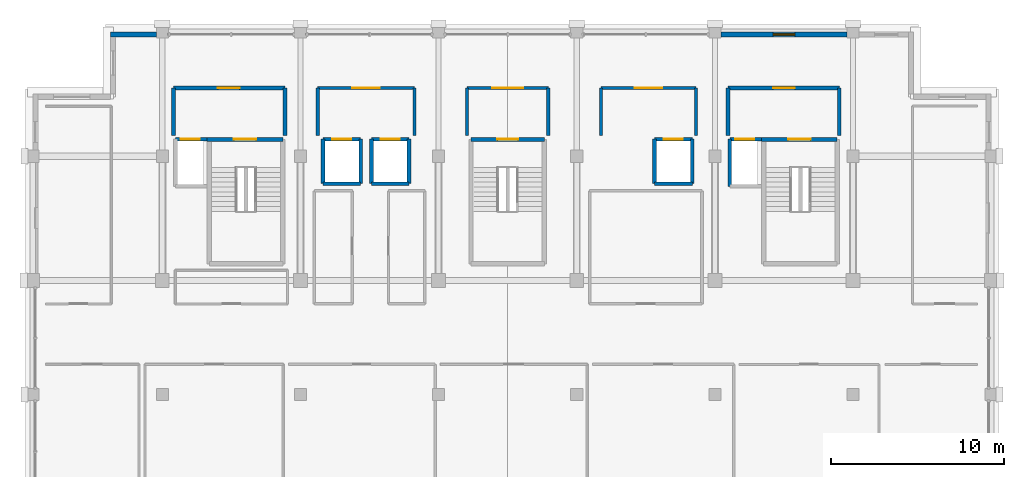
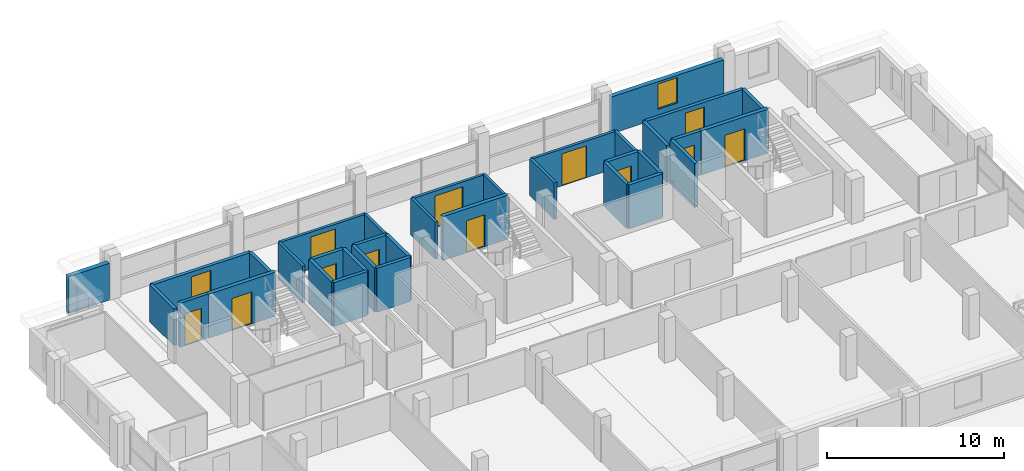
# One storey, part 18 of 21: 35 walls, 13 doors, 1 window, 14 openings.
"""IFC4 building model written with IfcOpenShell, lengths in metres."""

from ifc_helpers import new_model, si_unit, direction, frame, frame_2d, origin, place, context, subcontext, project, spatial, rectangle, extrude, material, layer, layer_set, type_object, element, fill, save


model = new_model("IFC4")

# Units and contexts
model_context = context("Model", 3, precision=1e-05, world=origin(), true_north=direction((0.0, 1.0)))
body_context = subcontext(model_context, "Body", "Model", "MODEL_VIEW")
ifc_project = project(units=[si_unit("LENGTHUNIT", "METRE"), si_unit("AREAUNIT", "SQUARE_METRE"), si_unit("VOLUMEUNIT", "CUBIC_METRE"), si_unit("PLANEANGLEUNIT", "RADIAN"), si_unit("MASSUNIT", "GRAM", prefix="KILO")], contexts=[model_context])

# Site, building, storey
site_placement = place(None, origin())
site = spatial("IfcSite", under=ifc_project, at=site_placement, CompositionType="ELEMENT")
building_placement = place(site_placement, origin())
building = spatial("IfcBuilding", under=site, at=building_placement, Name="Akrevak Sports Hall", CompositionType="ELEMENT")
storey_placement = place(building_placement, frame((0.0, 0.0, 53.550048828125)))
storey = spatial("IfcBuildingStorey", under=building, at=storey_placement, Name="L13", CompositionType="ELEMENT", Elevation=53.550048828125)

# Wall, opening, window
ifc_material_1 = material(Name="Limestone Ashlar", Category="stone")
ifc_layer_1 = layer(ifc_material_1, 0.06005859375, Name="Limestone Ashlar")
ifc_material_2 = material(Name="Mineral Wool Thermal Insulation", Category="insulation")
ifc_layer_2 = layer(ifc_material_2, 0.090087890625, Name="Mineral Wool Thermal Insulation")
ifc_material_3 = material(Name="Concrete C40/50", Category="concrete")
ifc_layer_3 = layer(ifc_material_3, 0.14990234375, Name="Concrete C40/50")
ifc_layer_set_1 = layer_set([ifc_layer_1, ifc_layer_2, ifc_layer_3], Name="Limestone Ashlar / Mineral Wool Thermal Insulation / Concrete C40/50")
wall_type_1 = type_object("IfcWallType", Name="ARC-WL-EXT-300", PredefinedType="SOLIDWALL", material=ifc_layer_set_1)
wall_1_placement = place(storey_placement, frame((99.64990234375, 69.449951171875, 0.0), z_axis=(0.0, 0.0, 1.0), x_axis=(-1.0, 0.0, 0.0)))
wall_1 = element("IfcWall", 1, at=wall_1_placement, inside=storey, type_object=wall_type_1, Name="Tower Stone Facade Wall L13-N18", PredefinedType="SOLIDWALL", context=body_context, shape_type="SweptSolid", body=[
    extrude(rectangle(XDim=7.2998046875, YDim=0.300048828125, at=frame_2d((3.64990234375, 0.0))), origin(), (0.0, 0.0, 1.0), 2.530029296875),
])
opening_1_placement = place(wall_1_placement, frame((3.02490234375, 0.0, 0.6201171875)))
opening_1 = element("IfcOpeningElement", 2, at=opening_1_placement, cuts=wall_1, Name="Opening WN-20", PredefinedType="OPENING", context=body_context, shape_type="SweptSolid", body=[
    extrude(rectangle(XDim=1.25, YDim=1.75, at=frame_2d((0.625, 0.875))), frame((0.0, 0.162109375, 0.0), z_axis=(0.0, -1.0, 0.0), x_axis=(1.0, 0.0, 0.0)), (0.0, 0.0, 1.0), 0.323974609375),
])
ifc_material_4 = material(Name="Thermally Broken Bronze Frame & Double Low-E Glass", Category="glass")
window_type = type_object("IfcWindowType", Name="ARC-WIN-TW-125x175", PartitioningType="SINGLE_PANEL", PredefinedType="WINDOW", material=ifc_material_4)
window_placement = place(opening_1_placement, origin())
window = element("IfcWindow", 3, at=window_placement, inside=storey, type_object=window_type, Name="Tower Window L13-N18", OverallHeight=1.75, OverallWidth=1.25, PartitioningType="SINGLE_PANEL", PredefinedType="WINDOW", context=body_context, shape_type="SweptSolid", body=[
    extrude(rectangle(XDim=1.25, YDim=1.75, at=frame_2d((0.625, 0.875))), frame((0.0, 0.030029296875, 0.0), z_axis=(0.0, -1.0, 0.0), x_axis=(1.0, 0.0, 0.0)), (0.0, 0.0, 1.0), 0.06005859375),
])
fill(opening_1, window)

# Wall
wall_2_placement = place(storey_placement, frame((59.64990234375, 69.449951171875, 0.0), z_axis=(0.0, 0.0, 1.0), x_axis=(-1.0, 0.0, 0.0)))
element("IfcWall", 4, at=wall_2_placement, inside=storey, type_object=wall_type_1, Name="Tower Stone Facade Wall L13-N23", PredefinedType="SOLIDWALL", context=body_context, shape_type="SweptSolid", body=[
    extrude(rectangle(XDim=2.64990234375, YDim=0.300048828125, at=frame_2d((1.324951171875, 0.0))), origin(), (0.0, 0.0, 1.0), 2.530029296875),
])

# Wall, opening, door
ifc_material_5 = material(Name="Autoclaved Aerated Masonry Block", Category="masonry")
ifc_layer_4 = layer(ifc_material_5, 0.179931640625, Name="Autoclaved Aerated Masonry Block")
ifc_layer_set_2 = layer_set([ifc_layer_4], Name="Autoclaved Aerated Masonry Block")
wall_type_2 = type_object("IfcWallType", Name="ARC-WL-PRT-180", PredefinedType="PARTITIONING", material=ifc_layer_set_2)
wall_3_placement = place(storey_placement, frame((69.0, 66.35009765625, 0.0), z_axis=(0.0, 0.0, 1.0), x_axis=(1.0, 0.0, 0.0)))
wall_3 = element("IfcWall", 5, at=wall_3_placement, inside=storey, type_object=wall_type_2, Name="Interior Partition West Passenger Lift Lobby L13 (N)", PredefinedType="PARTITIONING", context=body_context, shape_type="SweptSolid", body=[
    extrude(rectangle(XDim=5.60009765625, YDim=0.179931640625, at=frame_2d((2.800048828125, 0.0))), origin(), (0.0, 0.0, 1.0), 2.530029296875),
])
opening_2_placement = place(wall_3_placement, frame((2.0, 0.0, 0.0)))
opening_2 = element("IfcOpeningElement", 6, at=opening_2_placement, cuts=wall_3, Name="Opening ID-03", PredefinedType="OPENING", context=body_context, shape_type="SweptSolid", body=[
    extrude(rectangle(XDim=1.60009765625, YDim=2.199951171875, at=frame_2d((0.800048828125, 1.10009765625))), frame((0.0, 0.10205078125, 0.0), z_axis=(0.0, -1.0, 0.0), x_axis=(1.0, 0.0, 0.0)), (0.0, 0.0, 1.0), 0.203857421875),
])
ifc_material_6 = material(Name="Hardwood Oak & Safety Glass", Category="wood")
door_type_1 = type_object("IfcDoorType", Name="ARC-DR-HALL-160x220", OperationType="DOUBLE_DOOR_SINGLE_SWING", PredefinedType="DOOR", material=ifc_material_6)
door_1_placement = place(opening_2_placement, origin())
door_1 = element("IfcDoor", 7, at=door_1_placement, inside=storey, type_object=door_type_1, Name="Door to West Passenger Lift Lobby L13", OperationType="DOUBLE_DOOR_SINGLE_SWING", OverallHeight=2.199951171875, OverallWidth=1.60009765625, PredefinedType="DOOR", context=body_context, shape_type="SweptSolid", body=[
    extrude(rectangle(XDim=1.60009765625, YDim=2.199951171875, at=frame_2d((0.800048828125, 1.10009765625))), frame((0.0, 0.02490234375, 0.0), z_axis=(0.0, -1.0, 0.0), x_axis=(1.0, 0.0, 0.0)), (0.0, 0.0, 1.0), 0.050048828125),
])
fill(opening_2, door_1)

# Walls
for number, where, z_axis, x_axis, name in (
    (8, (69.0, 63.60009765625, 0.0), (0.0, 0.0, 1.0), (0.0, 1.0, 0.0), "Interior Partition West Passenger Lift Lobby L13 (W)"),
    (9, (74.60009765625, 63.60009765625, 0.0), (0.0, 0.0, 1.0), (0.0, 1.0, 0.0), "Interior Partition West Passenger Lift Lobby L13 (E)"),
):
    element("IfcWall", number, at=place(storey_placement, frame(where, z_axis=z_axis, x_axis=x_axis)), inside=storey, type_object=wall_type_2, Name=name, PredefinedType="PARTITIONING", context=body_context, shape_type="SweptSolid", body=[
        extrude(rectangle(XDim=2.75, YDim=0.179931640625, at=frame_2d((1.375, 0.0))), origin(), (0.0, 0.0, 1.0), 2.530029296875),
    ])

# Wall, opening, door
wall_4_placement = place(storey_placement, frame((85.39990234375, 66.35009765625, 0.0), z_axis=(0.0, 0.0, 1.0), x_axis=(1.0, 0.0, 0.0)))
wall_4 = element("IfcWall", 10, at=wall_4_placement, inside=storey, type_object=wall_type_2, Name="Interior Partition East Passenger Lift Lobby L13 (N)", PredefinedType="PARTITIONING", context=body_context, shape_type="SweptSolid", body=[
    extrude(rectangle(XDim=5.5, YDim=0.179931640625, at=frame_2d((2.75, 0.0))), origin(), (0.0, 0.0, 1.0), 2.530029296875),
])
opening_3_placement = place(wall_4_placement, frame((1.949951171875, 0.0, 0.0)))
opening_3 = element("IfcOpeningElement", 11, at=opening_3_placement, cuts=wall_4, Name="Opening ID-03", PredefinedType="OPENING", context=body_context, shape_type="SweptSolid", body=[
    extrude(rectangle(XDim=1.60009765625, YDim=2.199951171875, at=frame_2d((0.800048828125, 1.10009765625))), frame((0.0, 0.10205078125, 0.0), z_axis=(0.0, -1.0, 0.0), x_axis=(1.0, 0.0, 0.0)), (0.0, 0.0, 1.0), 0.203857421875),
])
door_2_placement = place(opening_3_placement, origin())
door_2 = element("IfcDoor", 12, at=door_2_placement, inside=storey, type_object=door_type_1, Name="Door to East Passenger Lift Lobby L13", OperationType="DOUBLE_DOOR_SINGLE_SWING", OverallHeight=2.199951171875, OverallWidth=1.60009765625, PredefinedType="DOOR", context=body_context, shape_type="SweptSolid", body=[
    extrude(rectangle(XDim=1.60009765625, YDim=2.199951171875, at=frame_2d((0.800048828125, 1.10009765625))), frame((0.0, 0.02490234375, 0.0), z_axis=(0.0, -1.0, 0.0), x_axis=(1.0, 0.0, 0.0)), (0.0, 0.0, 1.0), 0.050048828125),
])
fill(opening_3, door_2)

# Walls
for number, where, z_axis, x_axis, name in (
    (13, (85.39990234375, 63.60009765625, 0.0), (0.0, 0.0, 1.0), (0.0, 1.0, 0.0), "Interior Partition East Passenger Lift Lobby L13 (W)"),
    (14, (90.89990234375, 63.60009765625, 0.0), (0.0, 0.0, 1.0), (0.0, 1.0, 0.0), "Interior Partition East Passenger Lift Lobby L13 (E)"),
):
    element("IfcWall", number, at=place(storey_placement, frame(where, z_axis=z_axis, x_axis=x_axis)), inside=storey, type_object=wall_type_2, Name=name, PredefinedType="PARTITIONING", context=body_context, shape_type="SweptSolid", body=[
        extrude(rectangle(XDim=2.75, YDim=0.179931640625, at=frame_2d((1.375, 0.0))), origin(), (0.0, 0.0, 1.0), 2.530029296875),
    ])

# Wall, opening, door
wall_5_placement = place(storey_placement, frame((77.64990234375, 66.35009765625, 0.0), z_axis=(0.0, 0.0, 1.0), x_axis=(1.0, 0.0, 0.0)))
wall_5 = element("IfcWall", 15, at=wall_5_placement, inside=storey, type_object=wall_type_2, Name="Interior Partition Central Stair ST3 Vestibule L13 (N)", PredefinedType="PARTITIONING", context=body_context, shape_type="SweptSolid", body=[
    extrude(rectangle(XDim=4.7001953125, YDim=0.179931640625, at=frame_2d((2.35009765625, 0.0))), origin(), (0.0, 0.0, 1.0), 2.530029296875),
])
opening_4_placement = place(wall_5_placement, frame((1.449951171875, 0.0, 0.0)))
opening_4 = element("IfcOpeningElement", 16, at=opening_4_placement, cuts=wall_5, Name="Opening FD-02", PredefinedType="OPENING", context=body_context, shape_type="SweptSolid", body=[
    extrude(rectangle(XDim=1.800048828125, YDim=2.199951171875, at=frame_2d((0.89990234375, 1.10009765625))), frame((0.0, 0.10205078125, 0.0), z_axis=(0.0, -1.0, 0.0), x_axis=(1.0, 0.0, 0.0)), (0.0, 0.0, 1.0), 0.203857421875),
])
ifc_material_7 = material(Name="Fire-Rated Galvanized Door Steel", Category="steel")
door_type_2 = type_object("IfcDoorType", Name="ARC-DR-FIRE-180x220", OperationType="DOUBLE_DOOR_SINGLE_SWING", PredefinedType="DOOR", material=ifc_material_7)
door_3_placement = place(opening_4_placement, frame((1.800048828125, 0.0, 0.0), z_axis=(0.0, 0.0, 1.0), x_axis=(-1.0, 0.0, 0.0)))
door_3 = element("IfcDoor", 17, at=door_3_placement, inside=storey, type_object=door_type_2, Name="Door to Central Stair ST3 Vestibule L13", OperationType="DOUBLE_DOOR_SINGLE_SWING", OverallHeight=2.199951171875, OverallWidth=1.800048828125, PredefinedType="DOOR", context=body_context, shape_type="SweptSolid", body=[
    extrude(rectangle(XDim=1.800048828125, YDim=2.199951171875, at=frame_2d((0.89990234375, 1.10009765625))), frame((0.0, 0.02490234375, 0.0), z_axis=(0.0, -1.0, 0.0), x_axis=(1.0, 0.0, 0.0)), (0.0, 0.0, 1.0), 0.050048828125),
])
fill(opening_4, door_3)

# Walls
for number, where, z_axis, x_axis, name in (
    (18, (77.64990234375, 63.60009765625, 0.0), (0.0, 0.0, 1.0), (0.0, 1.0, 0.0), "Interior Partition Central Stair ST3 Vestibule L13 (W)"),
    (19, (82.35009765625, 63.60009765625, 0.0), (0.0, 0.0, 1.0), (0.0, 1.0, 0.0), "Interior Partition Central Stair ST3 Vestibule L13 (E)"),
):
    element("IfcWall", number, at=place(storey_placement, frame(where, z_axis=z_axis, x_axis=x_axis)), inside=storey, type_object=wall_type_2, Name=name, PredefinedType="PARTITIONING", context=body_context, shape_type="SweptSolid", body=[
        extrude(rectangle(XDim=2.75, YDim=0.179931640625, at=frame_2d((1.375, 0.0))), origin(), (0.0, 0.0, 1.0), 2.530029296875),
    ])

# Wall, opening, door
ifc_layer_5 = layer(ifc_material_3, 0.219970703125, Name="Concrete C40/50")
ifc_layer_set_3 = layer_set([ifc_layer_5], Name="Concrete C40/50")
wall_type_3 = type_object("IfcWallType", Name="ARC-WL-PRT-220", PredefinedType="PARTITIONING", material=ifc_layer_set_3)
wall_6_placement = place(storey_placement, frame((60.64990234375, 66.35009765625, 0.0), z_axis=(0.0, 0.0, 1.0), x_axis=(1.0, 0.0, 0.0)))
wall_6 = element("IfcWall", 20, at=wall_6_placement, inside=storey, type_object=wall_type_3, Name="Interior Partition Firefighting Lobby West L13 (N)", PredefinedType="PARTITIONING", context=body_context, shape_type="SweptSolid", body=[
    extrude(rectangle(XDim=6.4501953125, YDim=0.219970703125, at=frame_2d((3.22509765625, 0.0))), origin(), (0.0, 0.0, 1.0), 2.530029296875),
])
opening_5_placement = place(wall_6_placement, frame((2.574951171875, 0.0, 0.0)))
opening_5 = element("IfcOpeningElement", 21, at=opening_5_placement, cuts=wall_6, Name="Opening FD-01", PredefinedType="OPENING", context=body_context, shape_type="SweptSolid", body=[
    extrude(rectangle(XDim=1.25, YDim=2.199951171875, at=frame_2d((0.625, 1.10009765625))), frame((0.0, 0.1220703125, 0.0), z_axis=(0.0, -1.0, 0.0), x_axis=(1.0, 0.0, 0.0)), (0.0, 0.0, 1.0), 0.243896484375),
])
door_type_3 = type_object("IfcDoorType", Name="ARC-DR-FFL-125x220", OperationType="NOTDEFINED", PredefinedType="DOOR", material=ifc_material_7)
door_4_placement = place(opening_5_placement, frame((1.25, 0.0, 0.0), z_axis=(0.0, 0.0, 1.0), x_axis=(-1.0, 0.0, 0.0)))
door_4 = element("IfcDoor", 22, at=door_4_placement, inside=storey, type_object=door_type_3, Name="Door to Firefighting Lobby West L13", OperationType="SINGLE_SWING_RIGHT", OverallHeight=2.199951171875, OverallWidth=1.25, PredefinedType="DOOR", context=body_context, shape_type="SweptSolid", body=[
    extrude(rectangle(XDim=1.25, YDim=2.199951171875, at=frame_2d((0.625, 1.10009765625))), frame((0.0, 0.02490234375, 0.0), z_axis=(0.0, -1.0, 0.0), x_axis=(1.0, 0.0, 0.0)), (0.0, 0.0, 1.0), 0.050048828125),
])
fill(opening_5, door_4)

# Walls
for number, where, z_axis, x_axis, name in (
    (23, (60.64990234375, 63.60009765625, 0.0), (0.0, 0.0, 1.0), (0.0, 1.0, 0.0), "Interior Partition Firefighting Lobby West L13 (W)"),
    (24, (67.10009765625, 63.60009765625, 0.0), (0.0, 0.0, 1.0), (0.0, 1.0, 0.0), "Interior Partition Firefighting Lobby West L13 (E)"),
):
    element("IfcWall", number, at=place(storey_placement, frame(where, z_axis=z_axis, x_axis=x_axis)), inside=storey, type_object=wall_type_3, Name=name, PredefinedType="PARTITIONING", context=body_context, shape_type="SweptSolid", body=[
        extrude(rectangle(XDim=2.75, YDim=0.219970703125, at=frame_2d((1.375, 0.0))), origin(), (0.0, 0.0, 1.0), 2.530029296875),
    ])

# Wall, opening, door
wall_7_placement = place(storey_placement, frame((92.75, 66.35009765625, 0.0), z_axis=(0.0, 0.0, 1.0), x_axis=(1.0, 0.0, 0.0)))
wall_7 = element("IfcWall", 25, at=wall_7_placement, inside=storey, type_object=wall_type_3, Name="Interior Partition Firefighting Lobby East L13 (N)", PredefinedType="PARTITIONING", context=body_context, shape_type="SweptSolid", body=[
    extrude(rectangle(XDim=6.449951171875, YDim=0.219970703125, at=frame_2d((3.22509765625, 0.0))), origin(), (0.0, 0.0, 1.0), 2.530029296875),
])
opening_6_placement = place(wall_7_placement, frame((2.625, 0.0, 0.0)))
opening_6 = element("IfcOpeningElement", 26, at=opening_6_placement, cuts=wall_7, Name="Opening FD-01", PredefinedType="OPENING", context=body_context, shape_type="SweptSolid", body=[
    extrude(rectangle(XDim=1.25, YDim=2.199951171875, at=frame_2d((0.625, 1.10009765625))), frame((0.0, 0.1220703125, 0.0), z_axis=(0.0, -1.0, 0.0), x_axis=(1.0, 0.0, 0.0)), (0.0, 0.0, 1.0), 0.243896484375),
])
door_5_placement = place(opening_6_placement, frame((1.25, 0.0, 0.0), z_axis=(0.0, 0.0, 1.0), x_axis=(-1.0, 0.0, 0.0)))
door_5 = element("IfcDoor", 27, at=door_5_placement, inside=storey, type_object=door_type_3, Name="Door to Firefighting Lobby East L13", OperationType="SINGLE_SWING_LEFT", OverallHeight=2.199951171875, OverallWidth=1.25, PredefinedType="DOOR", context=body_context, shape_type="SweptSolid", body=[
    extrude(rectangle(XDim=1.25, YDim=2.199951171875, at=frame_2d((0.625, 1.10009765625))), frame((0.0, 0.02490234375, 0.0), z_axis=(0.0, -1.0, 0.0), x_axis=(1.0, 0.0, 0.0)), (0.0, 0.0, 1.0), 0.050048828125),
])
fill(opening_6, door_5)

# Walls
for number, where, z_axis, x_axis, name in (
    (28, (92.75, 63.60009765625, 0.0), (0.0, 0.0, 1.0), (0.0, 1.0, 0.0), "Interior Partition Firefighting Lobby East L13 (W)"),
    (29, (99.199951171875, 63.60009765625, 0.0), (0.0, 0.0, 1.0), (0.0, 1.0, 0.0), "Interior Partition Firefighting Lobby East L13 (E)"),
):
    element("IfcWall", number, at=place(storey_placement, frame(where, z_axis=z_axis, x_axis=x_axis)), inside=storey, type_object=wall_type_3, Name=name, PredefinedType="PARTITIONING", context=body_context, shape_type="SweptSolid", body=[
        extrude(rectangle(XDim=2.75, YDim=0.219970703125, at=frame_2d((1.375, 0.0))), origin(), (0.0, 0.0, 1.0), 2.530029296875),
    ])

# Wall, opening, door
ifc_material_8 = material(Name="Concrete C50/60", Category="concrete")
ifc_layer_6 = layer(ifc_material_8, 0.219970703125, Name="Concrete C50/60")
ifc_layer_set_4 = layer_set([ifc_layer_6], Name="Concrete C50/60")
wall_type_4 = type_object("IfcWallType", Name="ARC-WL-SHAFT-220", PredefinedType="SHEAR", material=ifc_layer_set_4)
wall_8_placement = place(storey_placement, frame((62.60009765625, 63.389892578125, 0.0), z_axis=(0.0, 0.0, 1.0), x_axis=(-1.0, 0.0, 0.0)))
wall_8 = element("IfcWall", 30, at=wall_8_placement, inside=storey, type_object=wall_type_4, Name="Lift Shaft LF-FF1 Wall N (L13)", PredefinedType="SHEAR", context=body_context, shape_type="SweptSolid", body=[
    extrude(rectangle(XDim=1.840087890625, YDim=0.219970703125, at=frame_2d((0.919921875, 0.0))), origin(), (0.0, 0.0, 1.0), 3.030029296875),
])
opening_7_placement = place(wall_8_placement, frame((0.425048828125, 0.0, 0.0)))
opening_7 = element("IfcOpeningElement", 31, at=opening_7_placement, cuts=wall_8, Name="Opening LD-01", PredefinedType="OPENING", context=body_context, shape_type="SweptSolid", body=[
    extrude(rectangle(XDim=1.10009765625, YDim=2.199951171875, at=frame_2d((0.550048828125, 1.10009765625))), frame((0.0, 0.1220703125, 0.0), z_axis=(0.0, -1.0, 0.0), x_axis=(1.0, 0.0, 0.0)), (0.0, 0.0, 1.0), 0.243896484375),
])
ifc_material_9 = material(Name="Brushed Stainless Steel 304", Category="steel")
door_type_4 = type_object("IfcDoorType", Name="ARC-DR-LD-110x220", OperationType="SLIDING_TO_LEFT", PredefinedType="DOOR", material=ifc_material_9)
door_6_placement = place(opening_7_placement, origin())
door_6 = element("IfcDoor", 32, at=door_6_placement, inside=storey, type_object=door_type_4, Name="Lift LF-FF1 Sliding Landing Door (L13)", OperationType="SLIDING_TO_RIGHT", OverallHeight=2.199951171875, OverallWidth=1.10009765625, PredefinedType="DOOR", context=body_context, shape_type="SweptSolid", body=[
    extrude(rectangle(XDim=1.10009765625, YDim=2.199951171875, at=frame_2d((0.550048828125, 1.10009765625))), frame((0.0, 0.02490234375, 0.0), z_axis=(0.0, -1.0, 0.0), x_axis=(1.0, 0.0, 0.0)), (0.0, 0.0, 1.0), 0.050048828125),
])
fill(opening_7, door_6)

wall_9_placement = place(storey_placement, frame((94.699951171875, 63.389892578125, 0.0), z_axis=(0.0, 0.0, 1.0), x_axis=(-1.0, 0.0, 0.0)))
wall_9 = element("IfcWall", 33, at=wall_9_placement, inside=storey, type_object=wall_type_4, Name="Lift Shaft LF-FF2 Wall N (L13)", PredefinedType="SHEAR", context=body_context, shape_type="SweptSolid", body=[
    extrude(rectangle(XDim=1.83984375, YDim=0.219970703125, at=frame_2d((0.919921875, 0.0))), origin(), (0.0, 0.0, 1.0), 3.030029296875),
])
opening_8_placement = place(wall_9_placement, frame((0.425048828125, 0.0, 0.0)))
opening_8 = element("IfcOpeningElement", 34, at=opening_8_placement, cuts=wall_9, Name="Opening LD-01", PredefinedType="OPENING", context=body_context, shape_type="SweptSolid", body=[
    extrude(rectangle(XDim=1.10009765625, YDim=2.199951171875, at=frame_2d((0.550048828125, 1.10009765625))), frame((0.0, 0.1220703125, 0.0), z_axis=(0.0, -1.0, 0.0), x_axis=(1.0, 0.0, 0.0)), (0.0, 0.0, 1.0), 0.243896484375),
])
door_7_placement = place(opening_8_placement, origin())
door_7 = element("IfcDoor", 35, at=door_7_placement, inside=storey, type_object=door_type_4, Name="Lift LF-FF2 Sliding Landing Door (L13)", OperationType="SLIDING_TO_RIGHT", OverallHeight=2.199951171875, OverallWidth=1.10009765625, PredefinedType="DOOR", context=body_context, shape_type="SweptSolid", body=[
    extrude(rectangle(XDim=1.10009765625, YDim=2.199951171875, at=frame_2d((0.550048828125, 1.10009765625))), frame((0.0, 0.02490234375, 0.0), z_axis=(0.0, -1.0, 0.0), x_axis=(1.0, 0.0, 0.0)), (0.0, 0.0, 1.0), 0.050048828125),
])
fill(opening_8, door_7)

# Walls
wall_10_placement = place(storey_placement, frame((92.860107421875, 63.389892578125, 0.0), z_axis=(0.0, 0.0, 1.0), x_axis=(0.0, -1.0, 0.0)))
element("IfcWall", 36, at=wall_10_placement, inside=storey, type_object=wall_type_4, Name="Lift Shaft LF-FF2 Wall W (L13)", PredefinedType="SHEAR", context=body_context, shape_type="SweptSolid", body=[
    extrude(rectangle(XDim=2.72998046875, YDim=0.219970703125, at=frame_2d((1.364990234375, 0.0))), origin(), (0.0, 0.0, 1.0), 3.030029296875),
])
wall_11_placement = place(storey_placement, frame((69.31005859375, 60.81005859375, 0.0), z_axis=(0.0, 0.0, 1.0), x_axis=(1.0, 0.0, 0.0)))
element("IfcWall", 37, at=wall_11_placement, inside=storey, type_object=wall_type_4, Name="Lift Shaft LF-P1 Wall S (L13)", PredefinedType="SHEAR", context=body_context, shape_type="SweptSolid", body=[
    extrude(rectangle(XDim=2.179931640625, YDim=0.219970703125, at=frame_2d((1.08984375, 0.0))), origin(), (0.0, 0.0, 1.0), 3.030029296875),
])

# Wall, opening, door
wall_12_placement = place(storey_placement, frame((71.489990234375, 63.389892578125, 0.0), z_axis=(0.0, 0.0, 1.0), x_axis=(-1.0, 0.0, 0.0)))
wall_12 = element("IfcWall", 38, at=wall_12_placement, inside=storey, type_object=wall_type_4, Name="Lift Shaft LF-P1 Wall N (L13)", PredefinedType="SHEAR", context=body_context, shape_type="SweptSolid", body=[
    extrude(rectangle(XDim=2.179931640625, YDim=0.219970703125, at=frame_2d((1.08984375, 0.0))), origin(), (0.0, 0.0, 1.0), 3.030029296875),
])
opening_9_placement = place(wall_12_placement, frame((0.5400390625, 0.0, 0.0)))
opening_9 = element("IfcOpeningElement", 39, at=opening_9_placement, cuts=wall_12, Name="Opening LD-01", PredefinedType="OPENING", context=body_context, shape_type="SweptSolid", body=[
    extrude(rectangle(XDim=1.10009765625, YDim=2.199951171875, at=frame_2d((0.550048828125, 1.10009765625))), frame((0.0, 0.1220703125, 0.0), z_axis=(0.0, -1.0, 0.0), x_axis=(1.0, 0.0, 0.0)), (0.0, 0.0, 1.0), 0.243896484375),
])
door_8_placement = place(opening_9_placement, origin())
door_8 = element("IfcDoor", 40, at=door_8_placement, inside=storey, type_object=door_type_4, Name="Lift LF-P1 Sliding Landing Door (L13)", OperationType="SLIDING_TO_RIGHT", OverallHeight=2.199951171875, OverallWidth=1.10009765625, PredefinedType="DOOR", context=body_context, shape_type="SweptSolid", body=[
    extrude(rectangle(XDim=1.10009765625, YDim=2.199951171875, at=frame_2d((0.550048828125, 1.10009765625))), frame((0.0, 0.02490234375, 0.0), z_axis=(0.0, -1.0, 0.0), x_axis=(1.0, 0.0, 0.0)), (0.0, 0.0, 1.0), 0.050048828125),
])
fill(opening_9, door_8)

# Walls
for number, where, z_axis, x_axis, name in (
    (41, (69.31005859375, 63.389892578125, 0.0), (0.0, 0.0, 1.0), (0.0, -1.0, 0.0), "Lift Shaft LF-P1 Wall W (L13)"),
    (42, (71.489990234375, 60.81005859375, 0.0), (0.0, 0.0, 1.0), (0.0, 1.0, 0.0), "Lift Shaft LF-P1 Wall E (L13)"),
):
    element("IfcWall", number, at=place(storey_placement, frame(where, z_axis=z_axis, x_axis=x_axis)), inside=storey, type_object=wall_type_4, Name=name, PredefinedType="SHEAR", context=body_context, shape_type="SweptSolid", body=[
        extrude(rectangle(XDim=2.579833984375, YDim=0.219970703125, at=frame_2d((1.2900390625, 0.0))), origin(), (0.0, 0.0, 1.0), 3.030029296875),
    ])
wall_13_placement = place(storey_placement, frame((72.110107421875, 60.81005859375, 0.0), z_axis=(0.0, 0.0, 1.0), x_axis=(1.0, 0.0, 0.0)))
element("IfcWall", 43, at=wall_13_placement, inside=storey, type_object=wall_type_4, Name="Lift Shaft LF-P2 Wall S (L13)", PredefinedType="SHEAR", context=body_context, shape_type="SweptSolid", body=[
    extrude(rectangle(XDim=2.179931640625, YDim=0.219970703125, at=frame_2d((1.08984375, 0.0))), origin(), (0.0, 0.0, 1.0), 3.030029296875),
])

# Wall, opening, door
wall_14_placement = place(storey_placement, frame((74.2900390625, 63.389892578125, 0.0), z_axis=(0.0, 0.0, 1.0), x_axis=(-1.0, 0.0, 0.0)))
wall_14 = element("IfcWall", 44, at=wall_14_placement, inside=storey, type_object=wall_type_4, Name="Lift Shaft LF-P2 Wall N (L13)", PredefinedType="SHEAR", context=body_context, shape_type="SweptSolid", body=[
    extrude(rectangle(XDim=2.179931640625, YDim=0.219970703125, at=frame_2d((1.08984375, 0.0))), origin(), (0.0, 0.0, 1.0), 3.030029296875),
])
opening_10_placement = place(wall_14_placement, frame((0.5400390625, 0.0, 0.0)))
opening_10 = element("IfcOpeningElement", 45, at=opening_10_placement, cuts=wall_14, Name="Opening LD-01", PredefinedType="OPENING", context=body_context, shape_type="SweptSolid", body=[
    extrude(rectangle(XDim=1.10009765625, YDim=2.199951171875, at=frame_2d((0.550048828125, 1.10009765625))), frame((0.0, 0.1220703125, 0.0), z_axis=(0.0, -1.0, 0.0), x_axis=(1.0, 0.0, 0.0)), (0.0, 0.0, 1.0), 0.243896484375),
])
door_9_placement = place(opening_10_placement, origin())
door_9 = element("IfcDoor", 46, at=door_9_placement, inside=storey, type_object=door_type_4, Name="Lift LF-P2 Sliding Landing Door (L13)", OperationType="SLIDING_TO_RIGHT", OverallHeight=2.199951171875, OverallWidth=1.10009765625, PredefinedType="DOOR", context=body_context, shape_type="SweptSolid", body=[
    extrude(rectangle(XDim=1.10009765625, YDim=2.199951171875, at=frame_2d((0.550048828125, 1.10009765625))), frame((0.0, 0.02490234375, 0.0), z_axis=(0.0, -1.0, 0.0), x_axis=(1.0, 0.0, 0.0)), (0.0, 0.0, 1.0), 0.050048828125),
])
fill(opening_10, door_9)

# Walls
for number, where, z_axis, x_axis, name in (
    (47, (72.110107421875, 63.389892578125, 0.0), (0.0, 0.0, 1.0), (0.0, -1.0, 0.0), "Lift Shaft LF-P2 Wall W (L13)"),
    (48, (74.2900390625, 60.81005859375, 0.0), (0.0, 0.0, 1.0), (0.0, 1.0, 0.0), "Lift Shaft LF-P2 Wall E (L13)"),
):
    element("IfcWall", number, at=place(storey_placement, frame(where, z_axis=z_axis, x_axis=x_axis)), inside=storey, type_object=wall_type_4, Name=name, PredefinedType="SHEAR", context=body_context, shape_type="SweptSolid", body=[
        extrude(rectangle(XDim=2.579833984375, YDim=0.219970703125, at=frame_2d((1.2900390625, 0.0))), origin(), (0.0, 0.0, 1.0), 3.030029296875),
    ])
wall_15_placement = place(storey_placement, frame((88.510009765625, 60.81005859375, 0.0), z_axis=(0.0, 0.0, 1.0), x_axis=(1.0, 0.0, 0.0)))
element("IfcWall", 49, at=wall_15_placement, inside=storey, type_object=wall_type_4, Name="Lift Shaft LF-P4 Wall S (L13)", PredefinedType="SHEAR", context=body_context, shape_type="SweptSolid", body=[
    extrude(rectangle(XDim=2.179931640625, YDim=0.219970703125, at=frame_2d((1.08984375, 0.0))), origin(), (0.0, 0.0, 1.0), 3.030029296875),
])

# Wall, opening, door
wall_16_placement = place(storey_placement, frame((90.68994140625, 63.389892578125, 0.0), z_axis=(0.0, 0.0, 1.0), x_axis=(-1.0, 0.0, 0.0)))
wall_16 = element("IfcWall", 50, at=wall_16_placement, inside=storey, type_object=wall_type_4, Name="Lift Shaft LF-P4 Wall N (L13)", PredefinedType="SHEAR", context=body_context, shape_type="SweptSolid", body=[
    extrude(rectangle(XDim=2.179931640625, YDim=0.219970703125, at=frame_2d((1.08984375, 0.0))), origin(), (0.0, 0.0, 1.0), 3.030029296875),
])
opening_11_placement = place(wall_16_placement, frame((0.5400390625, 0.0, 0.0)))
opening_11 = element("IfcOpeningElement", 51, at=opening_11_placement, cuts=wall_16, Name="Opening LD-01", PredefinedType="OPENING", context=body_context, shape_type="SweptSolid", body=[
    extrude(rectangle(XDim=1.10009765625, YDim=2.199951171875, at=frame_2d((0.550048828125, 1.10009765625))), frame((0.0, 0.1220703125, 0.0), z_axis=(0.0, -1.0, 0.0), x_axis=(1.0, 0.0, 0.0)), (0.0, 0.0, 1.0), 0.243896484375),
])
door_10_placement = place(opening_11_placement, origin())
door_10 = element("IfcDoor", 52, at=door_10_placement, inside=storey, type_object=door_type_4, Name="Lift LF-P4 Sliding Landing Door (L13)", OperationType="SLIDING_TO_RIGHT", OverallHeight=2.199951171875, OverallWidth=1.10009765625, PredefinedType="DOOR", context=body_context, shape_type="SweptSolid", body=[
    extrude(rectangle(XDim=1.10009765625, YDim=2.199951171875, at=frame_2d((0.550048828125, 1.10009765625))), frame((0.0, 0.02490234375, 0.0), z_axis=(0.0, -1.0, 0.0), x_axis=(1.0, 0.0, 0.0)), (0.0, 0.0, 1.0), 0.050048828125),
])
fill(opening_11, door_10)

# Walls
for number, where, z_axis, x_axis, name in (
    (53, (88.510009765625, 63.389892578125, 0.0), (0.0, 0.0, 1.0), (0.0, -1.0, 0.0), "Lift Shaft LF-P4 Wall W (L13)"),
    (54, (90.68994140625, 60.81005859375, 0.0), (0.0, 0.0, 1.0), (0.0, 1.0, 0.0), "Lift Shaft LF-P4 Wall E (L13)"),
):
    element("IfcWall", number, at=place(storey_placement, frame(where, z_axis=z_axis, x_axis=x_axis)), inside=storey, type_object=wall_type_4, Name=name, PredefinedType="SHEAR", context=body_context, shape_type="SweptSolid", body=[
        extrude(rectangle(XDim=2.579833984375, YDim=0.219970703125, at=frame_2d((1.2900390625, 0.0))), origin(), (0.0, 0.0, 1.0), 3.030029296875),
    ])

# Wall, opening, door
ifc_layer_7 = layer(ifc_material_8, 0.25, Name="Concrete C50/60")
ifc_layer_set_5 = layer_set([ifc_layer_7], Name="Concrete C50/60")
wall_type_5 = type_object("IfcWallType", Name="STR-WL-STAIR-250", PredefinedType="SHEAR", material=ifc_layer_set_5)
wall_17_placement = place(storey_placement, frame((66.97509765625, 63.375, 0.0), z_axis=(0.0, 0.0, 1.0), x_axis=(-1.0, 0.0, 0.0)))
wall_17 = element("IfcWall", 55, at=wall_17_placement, inside=storey, type_object=wall_type_5, Name="Stair Core ST1 Shear Wall N (L13)", PredefinedType="SHEAR", context=body_context, shape_type="SweptSolid", body=[
    extrude(rectangle(XDim=4.375, YDim=0.25, at=frame_2d((2.1875, 0.0))), origin(), (0.0, 0.0, 1.0), 3.030029296875),
])
opening_12_placement = place(wall_17_placement, frame((1.53759765625, 0.0, 0.0)))
opening_12 = element("IfcOpeningElement", 56, at=opening_12_placement, cuts=wall_17, Name="Opening SD-01", PredefinedType="OPENING", context=body_context, shape_type="SweptSolid", body=[
    extrude(rectangle(XDim=1.300048828125, YDim=2.199951171875, at=frame_2d((0.64990234375, 1.10009765625))), frame((0.0, 0.136962890625, 0.0), z_axis=(0.0, -1.0, 0.0), x_axis=(1.0, 0.0, 0.0)), (0.0, 0.0, 1.0), 0.27392578125),
])
door_type_5 = type_object("IfcDoorType", Name="ARC-DR-STAIR-130x220", OperationType="NOTDEFINED", PredefinedType="DOOR", material=ifc_material_7)
door_11_placement = place(opening_12_placement, origin())
door_11 = element("IfcDoor", 57, at=door_11_placement, inside=storey, type_object=door_type_5, Name="Exit Stair ST1 Door (L13)", OperationType="SINGLE_SWING_LEFT", OverallHeight=2.199951171875, OverallWidth=1.300048828125, PredefinedType="DOOR", context=body_context, shape_type="SweptSolid", body=[
    extrude(rectangle(XDim=1.300048828125, YDim=2.199951171875, at=frame_2d((0.64990234375, 1.10009765625))), frame((0.0, 0.02490234375, 0.0), z_axis=(0.0, -1.0, 0.0), x_axis=(1.0, 0.0, 0.0)), (0.0, 0.0, 1.0), 0.050048828125),
])
fill(opening_12, door_11)

wall_18_placement = place(storey_placement, frame((99.074951171875, 63.375, 0.0), z_axis=(0.0, 0.0, 1.0), x_axis=(-1.0, 0.0, 0.0)))
wall_18 = element("IfcWall", 58, at=wall_18_placement, inside=storey, type_object=wall_type_5, Name="Stair Core ST2 Shear Wall N (L13)", PredefinedType="SHEAR", context=body_context, shape_type="SweptSolid", body=[
    extrude(rectangle(XDim=4.375, YDim=0.25, at=frame_2d((2.1875, 0.0))), origin(), (0.0, 0.0, 1.0), 3.030029296875),
])
opening_13_placement = place(wall_18_placement, frame((1.53759765625, 0.0, 0.0)))
opening_13 = element("IfcOpeningElement", 59, at=opening_13_placement, cuts=wall_18, Name="Opening SD-01", PredefinedType="OPENING", context=body_context, shape_type="SweptSolid", body=[
    extrude(rectangle(XDim=1.300048828125, YDim=2.199951171875, at=frame_2d((0.64990234375, 1.10009765625))), frame((0.0, 0.136962890625, 0.0), z_axis=(0.0, -1.0, 0.0), x_axis=(1.0, 0.0, 0.0)), (0.0, 0.0, 1.0), 0.27392578125),
])
door_12_placement = place(opening_13_placement, origin())
door_12 = element("IfcDoor", 60, at=door_12_placement, inside=storey, type_object=door_type_5, Name="Exit Stair ST2 Door (L13)", OperationType="SINGLE_SWING_RIGHT", OverallHeight=2.199951171875, OverallWidth=1.300048828125, PredefinedType="DOOR", context=body_context, shape_type="SweptSolid", body=[
    extrude(rectangle(XDim=1.300048828125, YDim=2.199951171875, at=frame_2d((0.64990234375, 1.10009765625))), frame((0.0, 0.02490234375, 0.0), z_axis=(0.0, -1.0, 0.0), x_axis=(1.0, 0.0, 0.0)), (0.0, 0.0, 1.0), 0.050048828125),
])
fill(opening_13, door_12)

wall_19_placement = place(storey_placement, frame((82.125, 63.375, 0.0), z_axis=(0.0, 0.0, 1.0), x_axis=(-1.0, 0.0, 0.0)))
wall_19 = element("IfcWall", 61, at=wall_19_placement, inside=storey, type_object=wall_type_5, Name="Stair Core ST3 Shear Wall N (L13)", PredefinedType="SHEAR", context=body_context, shape_type="SweptSolid", body=[
    extrude(rectangle(XDim=4.25, YDim=0.25, at=frame_2d((2.125, 0.0))), origin(), (0.0, 0.0, 1.0), 3.030029296875),
])
opening_14_placement = place(wall_19_placement, frame((1.52490234375, 0.0, 0.0)))
opening_14 = element("IfcOpeningElement", 62, at=opening_14_placement, cuts=wall_19, Name="Opening SD-02", PredefinedType="OPENING", context=body_context, shape_type="SweptSolid", body=[
    extrude(rectangle(XDim=1.199951171875, YDim=2.199951171875, at=frame_2d((0.60009765625, 1.10009765625))), frame((0.0, 0.136962890625, 0.0), z_axis=(0.0, -1.0, 0.0), x_axis=(1.0, 0.0, 0.0)), (0.0, 0.0, 1.0), 0.27392578125),
])
door_type_6 = type_object("IfcDoorType", Name="ARC-DR-STAIR-120x220", OperationType="NOTDEFINED", PredefinedType="DOOR", material=ifc_material_7)
door_13_placement = place(opening_14_placement, origin())
door_13 = element("IfcDoor", 63, at=door_13_placement, inside=storey, type_object=door_type_6, Name="Exit Stair ST3 Door (L13)", OperationType="SINGLE_SWING_LEFT", OverallHeight=2.199951171875, OverallWidth=1.199951171875, PredefinedType="DOOR", context=body_context, shape_type="SweptSolid", body=[
    extrude(rectangle(XDim=1.199951171875, YDim=2.199951171875, at=frame_2d((0.60009765625, 1.10009765625))), frame((0.0, 0.02490234375, 0.0), z_axis=(0.0, -1.0, 0.0), x_axis=(1.0, 0.0, 0.0)), (0.0, 0.0, 1.0), 0.050048828125),
])
fill(opening_14, door_13)

save(model, "model.ifc")
